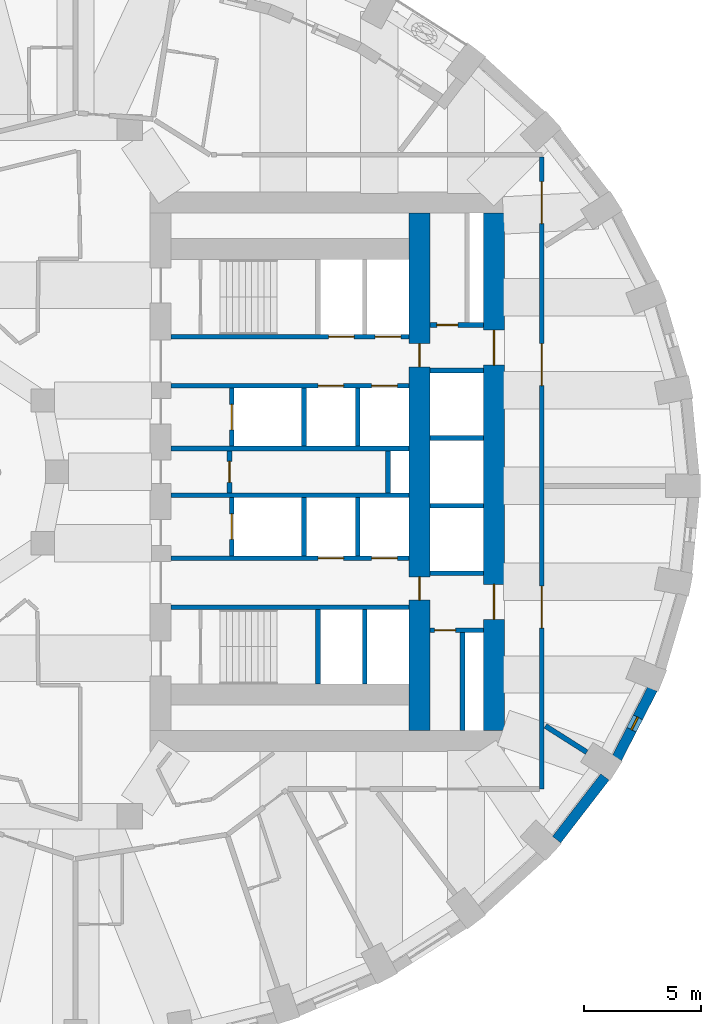
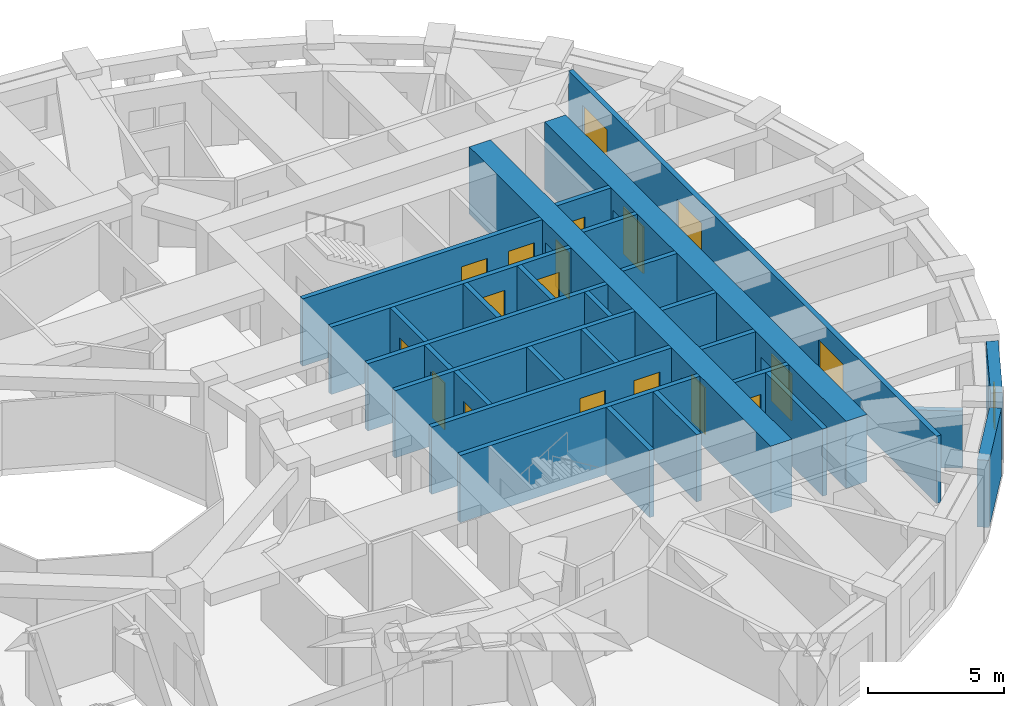
# One storey, part 6 of 12: 29 walls, 18 doors, 1 window, 19 openings.
"""IFC4 building model written with IfcOpenShell, lengths in metres."""

from ifc_helpers import new_model, si_unit, direction, frame, frame_2d, origin, place, context, subcontext, project, spatial, rectangle, extrude, material, layer, layer_set, type_object, element, fill, save


model = new_model("IFC4")

# Units and contexts
model_context = context("Model", 3, precision=1e-05, world=origin(), true_north=direction((0.0, 1.0)))
body_context = subcontext(model_context, "Body", "Model", "MODEL_VIEW")
ifc_project = project(units=[si_unit("LENGTHUNIT", "METRE"), si_unit("AREAUNIT", "SQUARE_METRE"), si_unit("VOLUMEUNIT", "CUBIC_METRE"), si_unit("PLANEANGLEUNIT", "RADIAN"), si_unit("MASSUNIT", "GRAM", prefix="KILO")], contexts=[model_context])

# Site, building, storey
site_placement = place(None, origin())
site = spatial("IfcSite", under=ifc_project, at=site_placement, CompositionType="ELEMENT")
building_placement = place(site_placement, origin())
building = spatial("IfcBuilding", under=site, at=building_placement, Name="Taillehof Tower", CompositionType="ELEMENT")
storey_placement = place(building_placement, frame((0.0, 0.0, 102.10009765625)))
storey = spatial("IfcBuildingStorey", under=building, at=storey_placement, Name="L28", CompositionType="ELEMENT", Elevation=102.10009765625)

# Wall
ifc_material_1 = material(Name="Brick masonry", Category="masonry")
ifc_layer_1 = layer(ifc_material_1, 0.449951171875)
ifc_layer_set_1 = layer_set([ifc_layer_1], Name="Brick infill wall 450")
wall_type_1 = type_object("IfcWallType", Name="Brick infill wall 450", PredefinedType="SOLIDWALL", material=ifc_layer_set_1)
wall_1_placement = place(storey_placement, frame((21.43505859375, -15.775390625, 0.0), z_axis=(0.0, 0.0, 1.0), x_axis=(0.610693945156, 0.791866721961, 0.0)))
element("IfcWall", 1, at=wall_1_placement, inside=storey, type_object=wall_type_1, Name="Brick wall L28 bay 33", PredefinedType="SOLIDWALL", context=body_context, shape_type="SweptSolid", body=[
    extrude(rectangle(XDim=3.39453125, YDim=0.449951171875, at=frame_2d((1.697265625, 0.0))), origin(), (0.0, 0.0, 1.0), 3.02001953125),
])

# Wall, opening, window
wall_2_placement = place(storey_placement, frame((24.022705078125, -12.27685546875, 0.0), z_axis=(0.0, 0.0, 1.0), x_axis=(0.456828186229, 0.889554949549, 0.0)))
wall_2 = element("IfcWall", 2, at=wall_2_placement, inside=storey, type_object=wall_type_1, Name="Brick wall L28 bay 34", PredefinedType="SOLIDWALL", context=body_context, shape_type="SweptSolid", body=[
    extrude(rectangle(XDim=3.332763671875, YDim=0.449951171875, at=frame_2d((1.66650390625, 0.0))), origin(), (0.0, 0.0, 1.0), 3.02001953125),
])
opening_1_placement = place(wall_2_placement, frame((1.366455078125, 0.0, 0.39990234375)))
opening_1 = element("IfcOpeningElement", 3, at=opening_1_placement, cuts=wall_2, Name="Opening W6", PredefinedType="OPENING", context=body_context, shape_type="SweptSolid", body=[
    extrude(rectangle(XDim=0.60009765625, YDim=1.75, at=frame_2d((0.300048828125, 0.875))), frame((0.0, 0.23486328125, 0.0), z_axis=(0.0, -1.0, 0.0), x_axis=(1.0, 0.0, 0.0)), (0.0, 0.0, 1.0), 0.469970703125),
])
ifc_material_2 = material(Name="Aluminium window frame with clear double glazing", Category="aluminium")
window_type = type_object("IfcWindowType", Name="Slot window 600x1750", PartitioningType="SINGLE_PANEL", PredefinedType="WINDOW", material=ifc_material_2)
window_placement = place(opening_1_placement, origin())
window = element("IfcWindow", 4, at=window_placement, inside=storey, type_object=window_type, Name="W6", OverallHeight=1.75, OverallWidth=0.60009765625, PartitioningType="SINGLE_PANEL", PredefinedType="WINDOW", context=body_context, shape_type="SweptSolid", body=[
    extrude(rectangle(XDim=0.60009765625, YDim=1.75, at=frame_2d((0.300048828125, 0.875))), frame((0.0, 0.034912109375, 0.0), z_axis=(0.0, -1.0, 0.0), x_axis=(1.0, 0.0, 0.0)), (0.0, 0.0, 1.0), 0.06005859375),
])
fill(opening_1, window)

# Wall, opening, door
ifc_material_3 = material(Name="Calcium silicate masonry", Category="masonry")
ifc_layer_2 = layer(ifc_material_3, 0.199951171875)
ifc_layer_set_2 = layer_set([ifc_layer_2], Name="Compartment wall calcium silicate 200")
wall_type_2 = type_object("IfcWallType", Name="Compartment wall calcium silicate 200", PredefinedType="PARTITIONING", material=ifc_layer_set_2)
wall_3_placement = place(storey_placement, frame((7.39990234375, -0.89990234375, 0.0), z_axis=(0.0, 0.0, 1.0), x_axis=(0.0, 1.0, 0.0)))
wall_3 = element("IfcWall", 5, at=wall_3_placement, inside=storey, type_object=wall_type_2, Name="Compartment wall FW", PredefinedType="PARTITIONING", context=body_context, shape_type="SweptSolid", body=[
    extrude(rectangle(XDim=1.7998046875, YDim=0.199951171875, at=frame_2d((0.89990234375, 0.0))), origin(), (0.0, 0.0, 1.0), 3.02001953125),
])
opening_2_placement = place(wall_3_placement, frame((0.449951171875, 0.0, 0.0)))
opening_2 = element("IfcOpeningElement", 6, at=opening_2_placement, cuts=wall_3, Name="Opening D2814", PredefinedType="OPENING", context=body_context, shape_type="SweptSolid", body=[
    extrude(rectangle(XDim=0.89990234375, YDim=2.10009765625, at=frame_2d((0.449951171875, 1.050048828125))), frame((0.0, 0.10986328125, 0.0), z_axis=(0.0, -1.0, 0.0), x_axis=(1.0, 0.0, 0.0)), (0.0, 0.0, 1.0), 0.219970703125),
])
ifc_material_4 = material(Name="Steel-faced fire door", Category="steel")
door_type_1 = type_object("IfcDoorType", Name="Riser and service room door 900x2100", OperationType="SINGLE_SWING_LEFT", PredefinedType="DOOR", material=ifc_material_4)
door_1_placement = place(opening_2_placement, origin())
door_1 = element("IfcDoor", 7, at=door_1_placement, inside=storey, type_object=door_type_1, Name="Door Electrical Room", OperationType="SINGLE_SWING_RIGHT", OverallHeight=2.10009765625, OverallWidth=0.89990234375, PredefinedType="DOOR", context=body_context, shape_type="SweptSolid", body=[
    extrude(rectangle(XDim=0.89990234375, YDim=2.10009765625, at=frame_2d((0.449951171875, 1.050048828125))), frame((0.0, 0.02490234375, 0.0), z_axis=(0.0, -1.0, 0.0), x_axis=(1.0, 0.0, 0.0)), (0.0, 0.0, 1.0), 0.050048828125),
])
fill(opening_2, door_1)

# Wall
wall_4_placement = place(storey_placement, frame((14.199951171875, -0.89990234375, 0.0), z_axis=(0.0, 0.0, 1.0), x_axis=(0.0, 1.0, 0.0)))
element("IfcWall", 8, at=wall_4_placement, inside=storey, type_object=wall_type_2, Name="Compartment wall FW", PredefinedType="PARTITIONING", context=body_context, shape_type="SweptSolid", body=[
    extrude(rectangle(XDim=1.7998046875, YDim=0.199951171875, at=frame_2d((0.89990234375, 0.0))), origin(), (0.0, 0.0, 1.0), 3.02001953125),
])

# Wall, opening, door
wall_5_placement = place(storey_placement, frame((16.0, 6.300048828125, 0.0), z_axis=(0.0, 0.0, 1.0), x_axis=(1.0, 0.0, 0.0)))
wall_5 = element("IfcWall", 9, at=wall_5_placement, inside=storey, type_object=wall_type_2, Name="Compartment wall FW", PredefinedType="PARTITIONING", context=body_context, shape_type="SweptSolid", body=[
    extrude(rectangle(XDim=2.300048828125, YDim=0.199951171875, at=frame_2d((1.14990234375, 0.0))), origin(), (0.0, 0.0, 1.0), 3.02001953125),
])
opening_3_placement = place(wall_5_placement, frame((0.300048828125, 0.0, 0.0)))
opening_3 = element("IfcOpeningElement", 10, at=opening_3_placement, cuts=wall_5, Name="Opening D2816", PredefinedType="OPENING", context=body_context, shape_type="SweptSolid", body=[
    extrude(rectangle(XDim=0.89990234375, YDim=2.10009765625, at=frame_2d((0.449951171875, 1.050048828125))), frame((0.0, 0.10986328125, 0.0), z_axis=(0.0, -1.0, 0.0), x_axis=(1.0, 0.0, 0.0)), (0.0, 0.0, 1.0), 0.219970703125),
])
door_2_placement = place(opening_3_placement, origin())
door_2 = element("IfcDoor", 11, at=door_2_placement, inside=storey, type_object=door_type_1, Name="Door Electrical Room", OperationType="SINGLE_SWING_RIGHT", OverallHeight=2.10009765625, OverallWidth=0.89990234375, PredefinedType="DOOR", context=body_context, shape_type="SweptSolid", body=[
    extrude(rectangle(XDim=0.89990234375, YDim=2.10009765625, at=frame_2d((0.449951171875, 1.050048828125))), frame((0.0, 0.02490234375, 0.0), z_axis=(0.0, -1.0, 0.0), x_axis=(1.0, 0.0, 0.0)), (0.0, 0.0, 1.0), 0.050048828125),
])
fill(opening_3, door_2)

wall_6_placement = place(storey_placement, frame((16.0, -6.800048828125, 0.0), z_axis=(0.0, 0.0, 1.0), x_axis=(1.0, 0.0, 0.0)))
wall_6 = element("IfcWall", 12, at=wall_6_placement, inside=storey, type_object=wall_type_2, Name="Compartment wall FW", PredefinedType="PARTITIONING", context=body_context, shape_type="SweptSolid", body=[
    extrude(rectangle(XDim=2.300048828125, YDim=0.199951171875, at=frame_2d((1.14990234375, 0.0))), origin(), (0.0, 0.0, 1.0), 3.02001953125),
])
opening_4_placement = place(wall_6_placement, frame((0.199951171875, 0.0, 0.0)))
opening_4 = element("IfcOpeningElement", 13, at=opening_4_placement, cuts=wall_6, Name="Opening D2818", PredefinedType="OPENING", context=body_context, shape_type="SweptSolid", body=[
    extrude(rectangle(XDim=0.89990234375, YDim=2.10009765625, at=frame_2d((0.449951171875, 1.050048828125))), frame((0.0, 0.10986328125, 0.0), z_axis=(0.0, -1.0, 0.0), x_axis=(1.0, 0.0, 0.0)), (0.0, 0.0, 1.0), 0.219970703125),
])
door_3_placement = place(opening_4_placement, origin())
door_3 = element("IfcDoor", 14, at=door_3_placement, inside=storey, type_object=door_type_1, Name="Door Comms Room", OperationType="SINGLE_SWING_LEFT", OverallHeight=2.10009765625, OverallWidth=0.89990234375, PredefinedType="DOOR", context=body_context, shape_type="SweptSolid", body=[
    extrude(rectangle(XDim=0.89990234375, YDim=2.10009765625, at=frame_2d((0.449951171875, 1.050048828125))), frame((0.0, 0.02490234375, 0.0), z_axis=(0.0, -1.0, 0.0), x_axis=(1.0, 0.0, 0.0)), (0.0, 0.0, 1.0), 0.050048828125),
])
fill(opening_4, door_3)

# Wall
wall_7_placement = place(storey_placement, frame((17.39990234375, -11.10009765625, 0.0), z_axis=(0.0, 0.0, 1.0), x_axis=(0.0, 1.0, 0.0)))
element("IfcWall", 15, at=wall_7_placement, inside=storey, type_object=wall_type_2, Name="Compartment wall FW", PredefinedType="PARTITIONING", context=body_context, shape_type="SweptSolid", body=[
    extrude(rectangle(XDim=4.2001953125, YDim=0.199951171875, at=frame_2d((2.10009765625, 0.0))), origin(), (0.0, 0.0, 1.0), 3.02001953125),
])

# Wall, openings, doors
ifc_material_5 = material(Name="Gypsum board on steel studs, two layers each side", Category="steel")
ifc_layer_3 = layer(ifc_material_5, 0.199951171875)
ifc_layer_set_3 = layer_set([ifc_layer_3], Name="Compartment wall corridor 200")
wall_type_3 = type_object("IfcWallType", Name="Compartment wall corridor 200", PredefinedType="PARTITIONING", material=ifc_layer_set_3)
wall_8_placement = place(storey_placement, frame((20.800048828125, 13.5, 0.0), z_axis=(0.0, 0.0, 1.0), x_axis=(0.0, -1.0, 0.0)))
wall_8 = element("IfcWall", 16, at=wall_8_placement, inside=storey, type_object=wall_type_3, Name="Compartment wall", PredefinedType="PARTITIONING", context=body_context, shape_type="SweptSolid", body=[
    extrude(rectangle(XDim=27.10009765625, YDim=0.199951171875, at=frame_2d((13.550048828125, 0.0))), origin(), (0.0, 0.0, 1.0), 3.02001953125),
])
opening_5_placement = place(wall_8_placement, frame((18.404052734375, 0.0, 0.0)))
opening_5 = element("IfcOpeningElement", 17, at=opening_5_placement, cuts=wall_8, Name="Opening D2862", PredefinedType="OPENING", context=body_context, shape_type="SweptSolid", body=[
    extrude(rectangle(XDim=1.800048828125, YDim=2.10009765625, at=frame_2d((0.89990234375, 1.050048828125))), frame((0.0, 0.10986328125, 0.0), z_axis=(0.0, -1.0, 0.0), x_axis=(1.0, 0.0, 0.0)), (0.0, 0.0, 1.0), 0.219970703125),
])
opening_6_placement = place(wall_8_placement, frame((7.99609375, 0.0, 0.0)))
opening_6 = element("IfcOpeningElement", 18, at=opening_6_placement, cuts=wall_8, Name="Opening D2863", PredefinedType="OPENING", context=body_context, shape_type="SweptSolid", body=[
    extrude(rectangle(XDim=1.800048828125, YDim=2.10009765625, at=frame_2d((0.89990234375, 1.050048828125))), frame((0.0, 0.10986328125, 0.0), z_axis=(0.0, -1.0, 0.0), x_axis=(1.0, 0.0, 0.0)), (0.0, 0.0, 1.0), 0.219970703125),
])
opening_7_placement = place(wall_8_placement, frame((1.05517578125, 0.0, 0.0)))
opening_7 = element("IfcOpeningElement", 19, at=opening_7_placement, cuts=wall_8, Name="Opening D2864", PredefinedType="OPENING", context=body_context, shape_type="SweptSolid", body=[
    extrude(rectangle(XDim=1.800048828125, YDim=2.10009765625, at=frame_2d((0.89990234375, 1.050048828125))), frame((0.0, 0.10986328125, 0.0), z_axis=(0.0, -1.0, 0.0), x_axis=(1.0, 0.0, 0.0)), (0.0, 0.0, 1.0), 0.219970703125),
])
ifc_material_6 = material(Name="Timber door leaf in steel frame", Category="steel")
door_type_2 = type_object("IfcDoorType", Name="Lounge and meeting room double door EI 30 1800 x 2100", OperationType="SINGLE_SWING_LEFT", PredefinedType="DOOR", material=ifc_material_6)
door_4_placement = place(opening_5_placement, origin())
door_4 = element("IfcDoor", 20, at=door_4_placement, inside=storey, type_object=door_type_2, Name="D2862", OperationType="DOUBLE_DOOR_SINGLE_SWING", OverallHeight=2.10009765625, OverallWidth=1.800048828125, PredefinedType="DOOR", context=body_context, shape_type="SweptSolid", body=[
    extrude(rectangle(XDim=1.800048828125, YDim=2.10009765625, at=frame_2d((0.89990234375, 1.050048828125))), frame((0.0, 0.02490234375, 0.0), z_axis=(0.0, -1.0, 0.0), x_axis=(1.0, 0.0, 0.0)), (0.0, 0.0, 1.0), 0.050048828125),
])
fill(opening_5, door_4)
door_5_placement = place(opening_6_placement, origin())
door_5 = element("IfcDoor", 21, at=door_5_placement, inside=storey, type_object=door_type_2, Name="D2863", OperationType="DOUBLE_DOOR_SINGLE_SWING", OverallHeight=2.10009765625, OverallWidth=1.800048828125, PredefinedType="DOOR", context=body_context, shape_type="SweptSolid", body=[
    extrude(rectangle(XDim=1.800048828125, YDim=2.10009765625, at=frame_2d((0.89990234375, 1.050048828125))), frame((0.0, 0.02490234375, 0.0), z_axis=(0.0, -1.0, 0.0), x_axis=(1.0, 0.0, 0.0)), (0.0, 0.0, 1.0), 0.050048828125),
])
fill(opening_6, door_5)
door_6_placement = place(opening_7_placement, origin())
door_6 = element("IfcDoor", 22, at=door_6_placement, inside=storey, type_object=door_type_2, Name="D2864", OperationType="DOUBLE_DOOR_SINGLE_SWING", OverallHeight=2.10009765625, OverallWidth=1.800048828125, PredefinedType="DOOR", context=body_context, shape_type="SweptSolid", body=[
    extrude(rectangle(XDim=1.800048828125, YDim=2.10009765625, at=frame_2d((0.89990234375, 1.050048828125))), frame((0.0, 0.02490234375, 0.0), z_axis=(0.0, -1.0, 0.0), x_axis=(1.0, 0.0, 0.0)), (0.0, 0.0, 1.0), 0.050048828125),
])
fill(opening_7, door_6)

# Wall
ifc_material_7 = material(Name="Gypsum board on double steel studs with mineral wool", Category="steel")
ifc_layer_4 = layer(ifc_material_7, 0.219970703125)
ifc_layer_set_4 = layer_set([ifc_layer_4], Name="Compartment wall guest room 220")
wall_type_4 = type_object("IfcWallType", Name="Compartment wall guest room 220", PredefinedType="PARTITIONING", material=ifc_layer_set_4)
wall_9_placement = place(storey_placement, frame((22.7265625, -12.0234375, 0.0), z_axis=(0.0, 0.0, 1.0), x_axis=(-0.844497052188, 0.535560200954, 0.0)))
element("IfcWall", 23, at=wall_9_placement, inside=storey, type_object=wall_type_4, Name="Compartment wall", PredefinedType="PARTITIONING", context=body_context, shape_type="SweptSolid", body=[
    extrude(rectangle(XDim=2.102783203125, YDim=0.219970703125, at=frame_2d((1.05126953125, 0.0))), origin(), (0.0, 0.0, 1.0), 2.56982421875),
])

# Wall, openings, doors
ifc_material_8 = material(Name="Concrete C80/95", Category="concrete")
ifc_layer_5 = layer(ifc_material_8, 0.89990234375)
ifc_layer_set_5 = layer_set([ifc_layer_5], Name="Core wall C80/95 900")
wall_type_5 = type_object("IfcWallType", Name="Core wall C80/95 900", PredefinedType="SHEAR", material=ifc_layer_set_5)
wall_10_placement = place(storey_placement, frame((18.75, -11.10009765625, 0.0), z_axis=(0.0, 0.0, 1.0), x_axis=(0.0, 1.0, 0.0)))
wall_10 = element("IfcWall", 24, at=wall_10_placement, inside=storey, type_object=wall_type_5, Name="Core wall CW02", PredefinedType="SHEAR", context=body_context, shape_type="SweptSolid", body=[
    extrude(rectangle(XDim=22.2001953125, YDim=0.89990234375, at=frame_2d((11.10009765625, 0.0))), origin(), (0.0, 0.0, 1.0), 3.02001953125),
])
opening_8_placement = place(wall_10_placement, frame((15.675048828125, 0.0, 0.0)))
opening_8 = element("IfcOpeningElement", 25, at=opening_8_placement, cuts=wall_10, Name="Opening D2808", PredefinedType="OPENING", context=body_context, shape_type="SweptSolid", body=[
    extrude(rectangle(XDim=1.5, YDim=2.10009765625, at=frame_2d((0.75, 1.050048828125))), frame((0.0, 0.4599609375, 0.0), z_axis=(0.0, -1.0, 0.0), x_axis=(1.0, 0.0, 0.0)), (0.0, 0.0, 1.0), 0.919921875),
])
opening_9_placement = place(wall_10_placement, frame((4.77490234375, 0.0, 0.0)))
opening_9 = element("IfcOpeningElement", 26, at=opening_9_placement, cuts=wall_10, Name="Opening D2809", PredefinedType="OPENING", context=body_context, shape_type="SweptSolid", body=[
    extrude(rectangle(XDim=1.5, YDim=2.10009765625, at=frame_2d((0.75, 1.050048828125))), frame((0.0, 0.4599609375, 0.0), z_axis=(0.0, -1.0, 0.0), x_axis=(1.0, 0.0, 0.0)), (0.0, 0.0, 1.0), 0.919921875),
])
ifc_material_9 = material(Name="Steel-faced fire door", Category="steel")
door_type_3 = type_object("IfcDoorType", Name="Lift lobby east door 1500x2100", OperationType="DOUBLE_DOOR_SINGLE_SWING", PredefinedType="DOOR", material=ifc_material_9)
door_7_placement = place(opening_8_placement, origin())
door_7 = element("IfcDoor", 27, at=door_7_placement, inside=storey, type_object=door_type_3, Name="Lift lobby east door north", OperationType="DOUBLE_DOOR_SINGLE_SWING", OverallHeight=2.10009765625, OverallWidth=1.5, PredefinedType="DOOR", context=body_context, shape_type="SweptSolid", body=[
    extrude(rectangle(XDim=1.5, YDim=2.10009765625, at=frame_2d((0.75, 1.050048828125))), frame((0.0, 0.02490234375, 0.0), z_axis=(0.0, -1.0, 0.0), x_axis=(1.0, 0.0, 0.0)), (0.0, 0.0, 1.0), 0.050048828125),
])
fill(opening_8, door_7)
door_8_placement = place(opening_9_placement, origin())
door_8 = element("IfcDoor", 28, at=door_8_placement, inside=storey, type_object=door_type_3, Name="Lift lobby east door south", OperationType="DOUBLE_DOOR_SINGLE_SWING", OverallHeight=2.10009765625, OverallWidth=1.5, PredefinedType="DOOR", context=body_context, shape_type="SweptSolid", body=[
    extrude(rectangle(XDim=1.5, YDim=2.10009765625, at=frame_2d((0.75, 1.050048828125))), frame((0.0, 0.02490234375, 0.0), z_axis=(0.0, -1.0, 0.0), x_axis=(1.0, 0.0, 0.0)), (0.0, 0.0, 1.0), 0.050048828125),
])
fill(opening_9, door_8)

wall_11_placement = place(storey_placement, frame((15.550048828125, -11.10009765625, 0.0), z_axis=(0.0, 0.0, 1.0), x_axis=(0.0, 1.0, 0.0)))
wall_11 = element("IfcWall", 29, at=wall_11_placement, inside=storey, type_object=wall_type_5, Name="Core wall CW05", PredefinedType="SHEAR", context=body_context, shape_type="SweptSolid", body=[
    extrude(rectangle(XDim=22.2001953125, YDim=0.89990234375, at=frame_2d((11.10009765625, 0.0))), origin(), (0.0, 0.0, 1.0), 3.02001953125),
])
opening_10_placement = place(wall_11_placement, frame((15.60009765625, 0.0, 0.0)))
opening_10 = element("IfcOpeningElement", 30, at=opening_10_placement, cuts=wall_11, Name="Opening D2815", PredefinedType="OPENING", context=body_context, shape_type="SweptSolid", body=[
    extrude(rectangle(XDim=1.0, YDim=2.10009765625, at=frame_2d((0.5, 1.050048828125))), frame((0.0, 0.4599609375, 0.0), z_axis=(0.0, -1.0, 0.0), x_axis=(1.0, 0.0, 0.0)), (0.0, 0.0, 1.0), 0.919921875),
])
opening_11_placement = place(wall_11_placement, frame((5.60009765625, 0.0, 0.0)))
opening_11 = element("IfcOpeningElement", 31, at=opening_11_placement, cuts=wall_11, Name="Opening D2817", PredefinedType="OPENING", context=body_context, shape_type="SweptSolid", body=[
    extrude(rectangle(XDim=1.0, YDim=2.10009765625, at=frame_2d((0.5, 1.050048828125))), frame((0.0, 0.4599609375, 0.0), z_axis=(0.0, -1.0, 0.0), x_axis=(1.0, 0.0, 0.0)), (0.0, 0.0, 1.0), 0.919921875),
])
ifc_material_10 = material(Name="Steel-faced fire door", Category="steel")
door_type_4 = type_object("IfcDoorType", Name="Service door 1000x2100", OperationType="SINGLE_SWING_RIGHT", PredefinedType="DOOR", material=ifc_material_10)
door_9_placement = place(opening_10_placement, origin())
door_9 = element("IfcDoor", 32, at=door_9_placement, inside=storey, type_object=door_type_4, Name="Service door strip", OperationType="SINGLE_SWING_RIGHT", OverallHeight=2.10009765625, OverallWidth=1.0, PredefinedType="DOOR", context=body_context, shape_type="SweptSolid", body=[
    extrude(rectangle(XDim=1.0, YDim=2.10009765625, at=frame_2d((0.5, 1.050048828125))), frame((0.0, 0.02490234375, 0.0), z_axis=(0.0, -1.0, 0.0), x_axis=(1.0, 0.0, 0.0)), (0.0, 0.0, 1.0), 0.050048828125),
])
fill(opening_10, door_9)
door_10_placement = place(opening_11_placement, origin())
door_10 = element("IfcDoor", 33, at=door_10_placement, inside=storey, type_object=door_type_4, Name="Service door strip", OperationType="SINGLE_SWING_LEFT", OverallHeight=2.10009765625, OverallWidth=1.0, PredefinedType="DOOR", context=body_context, shape_type="SweptSolid", body=[
    extrude(rectangle(XDim=1.0, YDim=2.10009765625, at=frame_2d((0.5, 1.050048828125))), frame((0.0, 0.02490234375, 0.0), z_axis=(0.0, -1.0, 0.0), x_axis=(1.0, 0.0, 0.0)), (0.0, 0.0, 1.0), 0.050048828125),
])
fill(opening_11, door_10)

ifc_material_11 = material(Name="Concrete C50/60", Category="concrete")
ifc_layer_6 = layer(ifc_material_11, 0.199951171875)
ifc_layer_set_6 = layer_set([ifc_layer_6], Name="Shaft wall C50/60 200")
wall_type_6 = type_object("IfcWallType", Name="Shaft wall C50/60 200", PredefinedType="SHEAR", material=ifc_layer_set_6)
wall_12_placement = place(storey_placement, frame((4.89990234375, 5.800048828125, 0.0), z_axis=(0.0, 0.0, 1.0), x_axis=(1.0, 0.0, 0.0)))
wall_12 = element("IfcWall", 34, at=wall_12_placement, inside=storey, type_object=wall_type_6, Name="Shaft wall SW", PredefinedType="SHEAR", context=body_context, shape_type="SweptSolid", body=[
    extrude(rectangle(XDim=10.2001953125, YDim=0.199951171875, at=frame_2d((5.10009765625, 0.0))), origin(), (0.0, 0.0, 1.0), 3.02001953125),
])
opening_12_placement = place(wall_12_placement, frame((6.75, 0.0, 0.0)))
opening_12 = element("IfcOpeningElement", 35, at=opening_12_placement, cuts=wall_12, Name="Opening LD1", PredefinedType="OPENING", context=body_context, shape_type="SweptSolid", body=[
    extrude(rectangle(XDim=1.10009765625, YDim=2.10009765625, at=frame_2d((0.550048828125, 1.050048828125))), frame((0.0, 0.10986328125, 0.0), z_axis=(0.0, -1.0, 0.0), x_axis=(1.0, 0.0, 0.0)), (0.0, 0.0, 1.0), 0.219970703125),
])
opening_13_placement = place(wall_12_placement, frame((8.75, 0.0, 0.0)))
opening_13 = element("IfcOpeningElement", 36, at=opening_13_placement, cuts=wall_12, Name="Opening LD1", PredefinedType="OPENING", context=body_context, shape_type="SweptSolid", body=[
    extrude(rectangle(XDim=1.10009765625, YDim=2.10009765625, at=frame_2d((0.550048828125, 1.050048828125))), frame((0.0, 0.10986328125, 0.0), z_axis=(0.0, -1.0, 0.0), x_axis=(1.0, 0.0, 0.0)), (0.0, 0.0, 1.0), 0.219970703125),
])
ifc_material_12 = material(Name="Stainless steel", Category="steel")
door_type_5 = type_object("IfcDoorType", Name="Lift landing door LD1 1100x2100", OperationType="DOUBLE_DOOR_SLIDING", PredefinedType="DOOR", material=ifc_material_12)
door_11_placement = place(opening_12_placement, origin())
door_11 = element("IfcDoor", 37, at=door_11_placement, inside=storey, type_object=door_type_5, Name="Landing door LR1", OperationType="DOUBLE_DOOR_SLIDING", OverallHeight=2.10009765625, OverallWidth=1.10009765625, PredefinedType="DOOR", context=body_context, shape_type="SweptSolid", body=[
    extrude(rectangle(XDim=1.10009765625, YDim=2.10009765625, at=frame_2d((0.550048828125, 1.050048828125))), frame((0.0, 0.02490234375, 0.0), z_axis=(0.0, -1.0, 0.0), x_axis=(1.0, 0.0, 0.0)), (0.0, 0.0, 1.0), 0.050048828125),
])
fill(opening_12, door_11)
door_12_placement = place(opening_13_placement, origin())
door_12 = element("IfcDoor", 38, at=door_12_placement, inside=storey, type_object=door_type_5, Name="Landing door LR2", OperationType="DOUBLE_DOOR_SLIDING", OverallHeight=2.10009765625, OverallWidth=1.10009765625, PredefinedType="DOOR", context=body_context, shape_type="SweptSolid", body=[
    extrude(rectangle(XDim=1.10009765625, YDim=2.10009765625, at=frame_2d((0.550048828125, 1.050048828125))), frame((0.0, 0.02490234375, 0.0), z_axis=(0.0, -1.0, 0.0), x_axis=(1.0, 0.0, 0.0)), (0.0, 0.0, 1.0), 0.050048828125),
])
fill(opening_13, door_12)

wall_13_placement = place(storey_placement, frame((4.89990234375, 3.699951171875, 0.0), z_axis=(0.0, 0.0, 1.0), x_axis=(1.0, 0.0, 0.0)))
wall_13 = element("IfcWall", 39, at=wall_13_placement, inside=storey, type_object=wall_type_6, Name="Shaft wall SW", PredefinedType="SHEAR", context=body_context, shape_type="SweptSolid", body=[
    extrude(rectangle(XDim=10.2001953125, YDim=0.199951171875, at=frame_2d((5.10009765625, 0.0))), origin(), (0.0, 0.0, 1.0), 3.02001953125),
])
opening_14_placement = place(wall_13_placement, frame((6.300048828125, 0.0, 0.0)))
opening_14 = element("IfcOpeningElement", 40, at=opening_14_placement, cuts=wall_13, Name="Opening LD1", PredefinedType="OPENING", context=body_context, shape_type="SweptSolid", body=[
    extrude(rectangle(XDim=1.10009765625, YDim=2.10009765625, at=frame_2d((0.550048828125, 1.050048828125))), frame((0.0, 0.10986328125, 0.0), z_axis=(0.0, -1.0, 0.0), x_axis=(1.0, 0.0, 0.0)), (0.0, 0.0, 1.0), 0.219970703125),
])
opening_15_placement = place(wall_13_placement, frame((8.60009765625, 0.0, 0.0)))
opening_15 = element("IfcOpeningElement", 41, at=opening_15_placement, cuts=wall_13, Name="Opening LD1", PredefinedType="OPENING", context=body_context, shape_type="SweptSolid", body=[
    extrude(rectangle(XDim=1.10009765625, YDim=2.10009765625, at=frame_2d((0.550048828125, 1.050048828125))), frame((0.0, 0.10986328125, 0.0), z_axis=(0.0, -1.0, 0.0), x_axis=(1.0, 0.0, 0.0)), (0.0, 0.0, 1.0), 0.219970703125),
])
door_13_placement = place(opening_14_placement, origin())
door_13 = element("IfcDoor", 42, at=door_13_placement, inside=storey, type_object=door_type_5, Name="Landing door LR3", OperationType="DOUBLE_DOOR_SLIDING", OverallHeight=2.10009765625, OverallWidth=1.10009765625, PredefinedType="DOOR", context=body_context, shape_type="SweptSolid", body=[
    extrude(rectangle(XDim=1.10009765625, YDim=2.10009765625, at=frame_2d((0.550048828125, 1.050048828125))), frame((0.0, 0.02490234375, 0.0), z_axis=(0.0, -1.0, 0.0), x_axis=(1.0, 0.0, 0.0)), (0.0, 0.0, 1.0), 0.050048828125),
])
fill(opening_14, door_13)
door_14_placement = place(opening_15_placement, origin())
door_14 = element("IfcDoor", 43, at=door_14_placement, inside=storey, type_object=door_type_5, Name="Landing door LR4", OperationType="DOUBLE_DOOR_SLIDING", OverallHeight=2.10009765625, OverallWidth=1.10009765625, PredefinedType="DOOR", context=body_context, shape_type="SweptSolid", body=[
    extrude(rectangle(XDim=1.10009765625, YDim=2.10009765625, at=frame_2d((0.550048828125, 1.050048828125))), frame((0.0, 0.02490234375, 0.0), z_axis=(0.0, -1.0, 0.0), x_axis=(1.0, 0.0, 0.0)), (0.0, 0.0, 1.0), 0.050048828125),
])
fill(opening_15, door_14)

# Walls
for number, where, z_axis, x_axis, name in (
    (44, (4.89990234375, 1.0, 0.0), (0.0, 0.0, 1.0), (1.0, 0.0, 0.0), "Shaft wall SW"),
    (45, (4.89990234375, -1.0, 0.0), (0.0, 0.0, 1.0), (1.0, 0.0, 0.0), "Shaft wall SW"),
):
    element("IfcWall", number, at=place(storey_placement, frame(where, z_axis=z_axis, x_axis=x_axis)), inside=storey, type_object=wall_type_6, Name=name, PredefinedType="SHEAR", context=body_context, shape_type="SweptSolid", body=[
        extrude(rectangle(XDim=10.2001953125, YDim=0.199951171875, at=frame_2d((5.10009765625, 0.0))), origin(), (0.0, 0.0, 1.0), 3.02001953125),
    ])

# Wall, openings, doors
wall_14_placement = place(storey_placement, frame((4.89990234375, -3.699951171875, 0.0), z_axis=(0.0, 0.0, 1.0), x_axis=(1.0, 0.0, 0.0)))
wall_14 = element("IfcWall", 46, at=wall_14_placement, inside=storey, type_object=wall_type_6, Name="Shaft wall SW", PredefinedType="SHEAR", context=body_context, shape_type="SweptSolid", body=[
    extrude(rectangle(XDim=10.2001953125, YDim=0.199951171875, at=frame_2d((5.10009765625, 0.0))), origin(), (0.0, 0.0, 1.0), 3.02001953125),
])
opening_16_placement = place(wall_14_placement, frame((6.300048828125, 0.0, 0.0)))
opening_16 = element("IfcOpeningElement", 47, at=opening_16_placement, cuts=wall_14, Name="Opening LD1", PredefinedType="OPENING", context=body_context, shape_type="SweptSolid", body=[
    extrude(rectangle(XDim=1.10009765625, YDim=2.10009765625, at=frame_2d((0.550048828125, 1.050048828125))), frame((0.0, 0.10986328125, 0.0), z_axis=(0.0, -1.0, 0.0), x_axis=(1.0, 0.0, 0.0)), (0.0, 0.0, 1.0), 0.219970703125),
])
opening_17_placement = place(wall_14_placement, frame((8.60009765625, 0.0, 0.0)))
opening_17 = element("IfcOpeningElement", 48, at=opening_17_placement, cuts=wall_14, Name="Opening LD1", PredefinedType="OPENING", context=body_context, shape_type="SweptSolid", body=[
    extrude(rectangle(XDim=1.10009765625, YDim=2.10009765625, at=frame_2d((0.550048828125, 1.050048828125))), frame((0.0, 0.10986328125, 0.0), z_axis=(0.0, -1.0, 0.0), x_axis=(1.0, 0.0, 0.0)), (0.0, 0.0, 1.0), 0.219970703125),
])
door_15_placement = place(opening_16_placement, origin())
door_15 = element("IfcDoor", 49, at=door_15_placement, inside=storey, type_object=door_type_5, Name="Landing door LR5", OperationType="DOUBLE_DOOR_SLIDING", OverallHeight=2.10009765625, OverallWidth=1.10009765625, PredefinedType="DOOR", context=body_context, shape_type="SweptSolid", body=[
    extrude(rectangle(XDim=1.10009765625, YDim=2.10009765625, at=frame_2d((0.550048828125, 1.050048828125))), frame((0.0, 0.02490234375, 0.0), z_axis=(0.0, -1.0, 0.0), x_axis=(1.0, 0.0, 0.0)), (0.0, 0.0, 1.0), 0.050048828125),
])
fill(opening_16, door_15)
door_16_placement = place(opening_17_placement, origin())
door_16 = element("IfcDoor", 50, at=door_16_placement, inside=storey, type_object=door_type_5, Name="Landing door LR6", OperationType="DOUBLE_DOOR_SLIDING", OverallHeight=2.10009765625, OverallWidth=1.10009765625, PredefinedType="DOOR", context=body_context, shape_type="SweptSolid", body=[
    extrude(rectangle(XDim=1.10009765625, YDim=2.10009765625, at=frame_2d((0.550048828125, 1.050048828125))), frame((0.0, 0.02490234375, 0.0), z_axis=(0.0, -1.0, 0.0), x_axis=(1.0, 0.0, 0.0)), (0.0, 0.0, 1.0), 0.050048828125),
])
fill(opening_17, door_16)

# Walls
wall_15_placement = place(storey_placement, frame((4.89990234375, -5.800048828125, 0.0), z_axis=(0.0, 0.0, 1.0), x_axis=(1.0, 0.0, 0.0)))
element("IfcWall", 51, at=wall_15_placement, inside=storey, type_object=wall_type_6, Name="Shaft wall SW", PredefinedType="SHEAR", context=body_context, shape_type="SweptSolid", body=[
    extrude(rectangle(XDim=10.2001953125, YDim=0.199951171875, at=frame_2d((5.10009765625, 0.0))), origin(), (0.0, 0.0, 1.0), 3.02001953125),
])
for number, where, z_axis, x_axis, name in (
    (52, (11.199951171875, -9.10009765625, 0.0), (0.0, 0.0, 1.0), (0.0, 1.0, 0.0), "Shaft wall SW"),
    (53, (13.199951171875, -9.10009765625, 0.0), (0.0, 0.0, 1.0), (0.0, 1.0, 0.0), "Shaft wall SW"),
):
    element("IfcWall", number, at=place(storey_placement, frame(where, z_axis=z_axis, x_axis=x_axis)), inside=storey, type_object=wall_type_6, Name=name, PredefinedType="SHEAR", context=body_context, shape_type="SweptSolid", body=[
        extrude(rectangle(XDim=3.2001953125, YDim=0.199951171875, at=frame_2d((1.60009765625, 0.0))), origin(), (0.0, 0.0, 1.0), 3.02001953125),
    ])

# Wall, opening, door
wall_16_placement = place(storey_placement, frame((7.5, 1.10009765625, 0.0), z_axis=(0.0, 0.0, 1.0), x_axis=(0.0, 1.0, 0.0)))
wall_16 = element("IfcWall", 54, at=wall_16_placement, inside=storey, type_object=wall_type_6, Name="Shaft wall SW", PredefinedType="SHEAR", context=body_context, shape_type="SweptSolid", body=[
    extrude(rectangle(XDim=2.5, YDim=0.199951171875, at=frame_2d((1.25, 0.0))), origin(), (0.0, 0.0, 1.0), 3.02001953125),
])
opening_18_placement = place(wall_16_placement, frame((0.699951171875, 0.0, 0.0)))
opening_18 = element("IfcOpeningElement", 55, at=opening_18_placement, cuts=wall_16, Name="Opening LD1", PredefinedType="OPENING", context=body_context, shape_type="SweptSolid", body=[
    extrude(rectangle(XDim=1.10009765625, YDim=2.10009765625, at=frame_2d((0.550048828125, 1.050048828125))), frame((0.0, 0.10986328125, 0.0), z_axis=(0.0, -1.0, 0.0), x_axis=(1.0, 0.0, 0.0)), (0.0, 0.0, 1.0), 0.219970703125),
])
door_17_placement = place(opening_18_placement, origin())
door_17 = element("IfcDoor", 56, at=door_17_placement, inside=storey, type_object=door_type_5, Name="Landing door FF1", OperationType="DOUBLE_DOOR_SLIDING", OverallHeight=2.10009765625, OverallWidth=1.10009765625, PredefinedType="DOOR", context=body_context, shape_type="SweptSolid", body=[
    extrude(rectangle(XDim=1.10009765625, YDim=2.10009765625, at=frame_2d((0.550048828125, 1.050048828125))), frame((0.0, 0.02490234375, 0.0), z_axis=(0.0, -1.0, 0.0), x_axis=(1.0, 0.0, 0.0)), (0.0, 0.0, 1.0), 0.050048828125),
])
fill(opening_18, door_17)

wall_17_placement = place(storey_placement, frame((7.5, -3.60009765625, 0.0), z_axis=(0.0, 0.0, 1.0), x_axis=(0.0, 1.0, 0.0)))
wall_17 = element("IfcWall", 57, at=wall_17_placement, inside=storey, type_object=wall_type_6, Name="Shaft wall SW", PredefinedType="SHEAR", context=body_context, shape_type="SweptSolid", body=[
    extrude(rectangle(XDim=2.5, YDim=0.199951171875, at=frame_2d((1.25, 0.0))), origin(), (0.0, 0.0, 1.0), 3.02001953125),
])
opening_19_placement = place(wall_17_placement, frame((0.699951171875, 0.0, 0.0)))
opening_19 = element("IfcOpeningElement", 58, at=opening_19_placement, cuts=wall_17, Name="Opening LD1", PredefinedType="OPENING", context=body_context, shape_type="SweptSolid", body=[
    extrude(rectangle(XDim=1.10009765625, YDim=2.10009765625, at=frame_2d((0.550048828125, 1.050048828125))), frame((0.0, 0.10986328125, 0.0), z_axis=(0.0, -1.0, 0.0), x_axis=(1.0, 0.0, 0.0)), (0.0, 0.0, 1.0), 0.219970703125),
])
door_18_placement = place(opening_19_placement, origin())
door_18 = element("IfcDoor", 59, at=door_18_placement, inside=storey, type_object=door_type_5, Name="Landing door FF2", OperationType="DOUBLE_DOOR_SLIDING", OverallHeight=2.10009765625, OverallWidth=1.10009765625, PredefinedType="DOOR", context=body_context, shape_type="SweptSolid", body=[
    extrude(rectangle(XDim=1.10009765625, YDim=2.10009765625, at=frame_2d((0.550048828125, 1.050048828125))), frame((0.0, 0.02490234375, 0.0), z_axis=(0.0, -1.0, 0.0), x_axis=(1.0, 0.0, 0.0)), (0.0, 0.0, 1.0), 0.050048828125),
])
fill(opening_19, door_18)

# Walls
for number, where, z_axis, x_axis, name in (
    (60, (10.60009765625, 1.10009765625, 0.0), (0.0, 0.0, 1.0), (0.0, 1.0, 0.0), "Shaft wall SW"),
    (61, (10.60009765625, -3.60009765625, 0.0), (0.0, 0.0, 1.0), (0.0, 1.0, 0.0), "Shaft wall SW"),
    (62, (12.89990234375, 1.10009765625, 0.0), (0.0, 0.0, 1.0), (0.0, 1.0, 0.0), "Shaft wall SW"),
    (63, (12.89990234375, -3.60009765625, 0.0), (0.0, 0.0, 1.0), (0.0, 1.0, 0.0), "Shaft wall SW"),
):
    element("IfcWall", number, at=place(storey_placement, frame(where, z_axis=z_axis, x_axis=x_axis)), inside=storey, type_object=wall_type_6, Name=name, PredefinedType="SHEAR", context=body_context, shape_type="SweptSolid", body=[
        extrude(rectangle(XDim=2.5, YDim=0.199951171875, at=frame_2d((1.25, 0.0))), origin(), (0.0, 0.0, 1.0), 3.02001953125),
    ])
for number, where, z_axis, x_axis, name in (
    (64, (16.0, -4.35009765625, 0.0), (0.0, 0.0, 1.0), (1.0, 0.0, 0.0), "Shaft wall SW"),
    (65, (16.0, -1.449951171875, 0.0), (0.0, 0.0, 1.0), (1.0, 0.0, 0.0), "Shaft wall SW"),
    (66, (16.0, 1.449951171875, 0.0), (0.0, 0.0, 1.0), (1.0, 0.0, 0.0), "Shaft wall SW"),
    (67, (16.0, 4.35009765625, 0.0), (0.0, 0.0, 1.0), (1.0, 0.0, 0.0), "Shaft wall SW"),
):
    element("IfcWall", number, at=place(storey_placement, frame(where, z_axis=z_axis, x_axis=x_axis)), inside=storey, type_object=wall_type_6, Name=name, PredefinedType="SHEAR", context=body_context, shape_type="SweptSolid", body=[
        extrude(rectangle(XDim=2.300048828125, YDim=0.199951171875, at=frame_2d((1.14990234375, 0.0))), origin(), (0.0, 0.0, 1.0), 3.02001953125),
    ])

save(model, "model.ifc")
